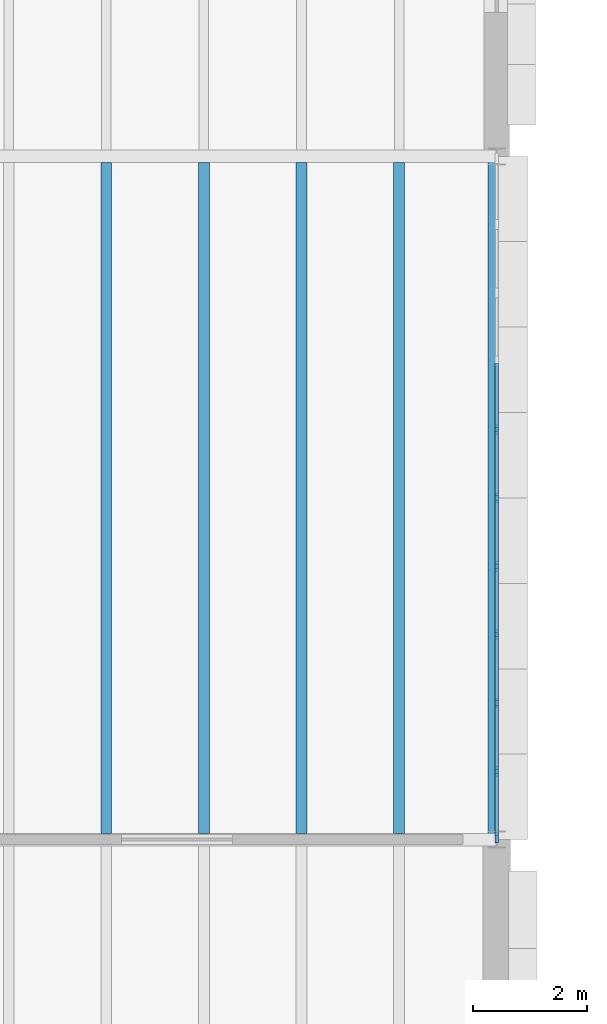
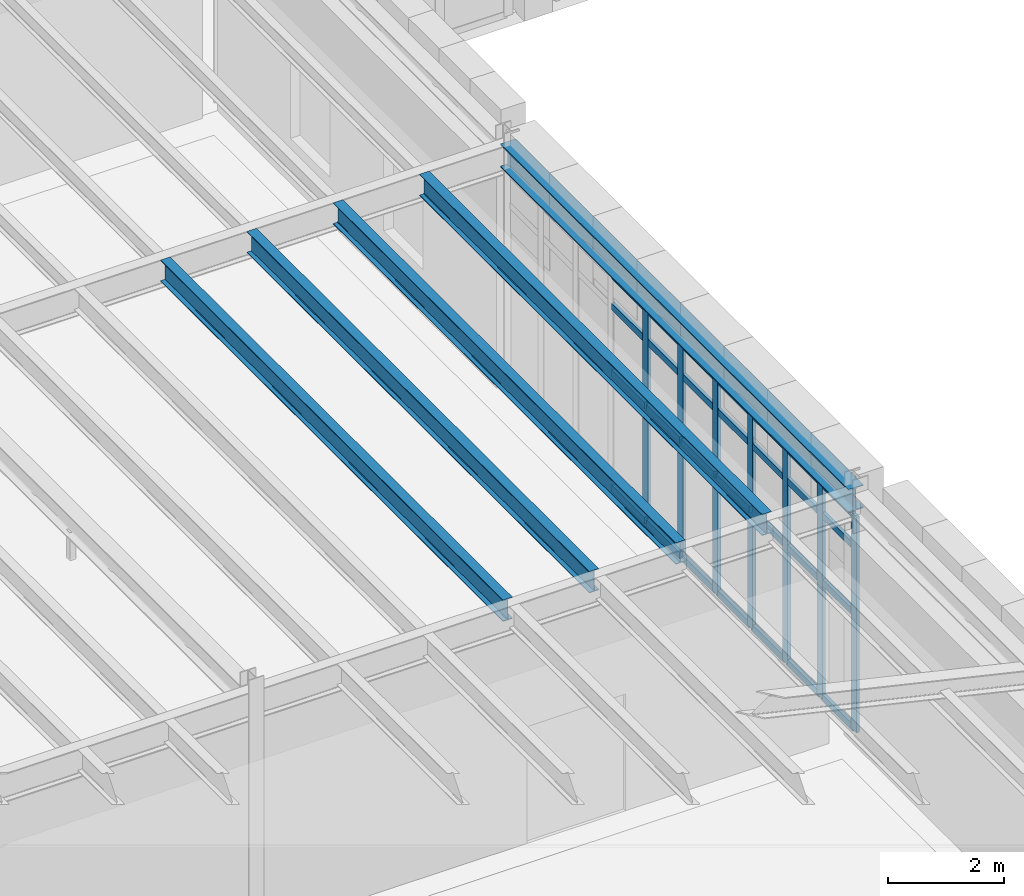
# One storey, part 15 of 100: 35 members, 5 beams, 1 element without a shape of its own.
"""IFC4 building model written with IfcOpenShell, lengths in metres."""

from ifc_helpers import new_model, si_unit, direction, frame, origin, origin_2d, place, context, subcontext, project, spatial, rectangle, i_section, extrude, material, layer, layer_set, material_profile, profile_set, type_object, element, aggregate, save


model = new_model("IFC4")

# Units and contexts
model_context = context("Model", 3, precision=1e-05, world=origin(), true_north=direction((0.0, 1.0)))
body_context = subcontext(model_context, "Body", "Model", "MODEL_VIEW")
ifc_project = project(units=[si_unit("LENGTHUNIT", "METRE"), si_unit("AREAUNIT", "SQUARE_METRE"), si_unit("VOLUMEUNIT", "CUBIC_METRE"), si_unit("PLANEANGLEUNIT", "RADIAN"), si_unit("MASSUNIT", "GRAM", prefix="KILO")], contexts=[model_context])

# Site, building, storey
site_placement = place(None, origin())
site = spatial("IfcSite", under=ifc_project, at=site_placement, CompositionType="ELEMENT")
building_placement = place(site_placement, origin())
building = spatial("IfcBuilding", under=site, at=building_placement, Name="Zlatogorsky Bluff Art Gallery", CompositionType="ELEMENT")
storey_placement = place(building_placement, frame((0.0, 0.0, 5.39990234375)))
storey = spatial("IfcBuildingStorey", under=building, at=storey_placement, Name="L01", CompositionType="ELEMENT", Elevation=5.39990234375)

# Beams
ifc_material_1 = material(Name="Steel S355", Category="steel")
ifc_material_profile_1 = material_profile(ifc_material_1, i_section(OverallWidth=0.300048828125, OverallDepth=0.489990234375, WebThickness=0.011962890625, FlangeThickness=0.02294921875, FilletRadius=0.027099609375, at=origin_2d()), Name="HEA 500")
ifc_profile_set_1 = profile_set([ifc_material_profile_1], Name="Steel S355")
beam_type_1 = type_object("IfcBeamType", Name="Beam BM-07 HEA 500", PredefinedType="BEAM", material=ifc_profile_set_1)
beam_placement = place(storey_placement, frame((24.0, 62.4150390625, 4.864990234375), z_axis=(0.0, 1.0, 0.0), x_axis=(-1.0, 0.0, 0.0)))
element("IfcBeam", 1, at=beam_placement, inside=storey, type_object=beam_type_1, Name="Primary girder BM-07 L01 C/7-8", PredefinedType="BEAM", context=body_context, shape_type="SweptSolid", body=[
    extrude(i_section(OverallWidth=0.300048828125, OverallDepth=0.489990234375, WebThickness=0.011962890625, FlangeThickness=0.02294921875, FilletRadius=0.027099609375, at=origin_2d()), origin(), (0.0, 0.0, 1.0), 11.969970703125),
])
ifc_material_profile_2 = material_profile(ifc_material_1, i_section(OverallWidth=0.18994140625, OverallDepth=0.449951171875, WebThickness=0.009521484375, FlangeThickness=0.0146484375, FilletRadius=0.02099609375, at=origin_2d()), Name="IPE 450")
ifc_profile_set_2 = profile_set([ifc_material_profile_2], Name="Steel S355")
beam_type_2 = type_object("IfcBeamType", Name="Beam JS-06 IPE 450", PredefinedType="JOIST", material=ifc_profile_set_2)
for number, where, z_axis, x_axis, name in (
    (2, (17.142822265625, 62.510009765625, 4.885009765625), (0.0, 1.0, 0.0), (-1.0, 0.0, 0.0), "Composite floor joist JS-06 L01 01.06.3"),
    (3, (18.857177734375, 62.510009765625, 4.885009765625), (0.0, 1.0, 0.0), (-1.0, 0.0, 0.0), "Composite floor joist JS-06 L01 01.06.4"),
    (4, (20.571533203125, 62.510009765625, 4.885009765625), (0.0, 1.0, 0.0), (-1.0, 0.0, 0.0), "Composite floor joist JS-06 L01 01.06.5"),
    (5, (22.28564453125, 62.510009765625, 4.885009765625), (0.0, 1.0, 0.0), (-1.0, 0.0, 0.0), "Composite floor joist JS-06 L01 01.06.6"),
):
    element("IfcBeam", number, at=place(storey_placement, frame(where, z_axis=z_axis, x_axis=x_axis)), inside=storey, type_object=beam_type_2, Name=name, PredefinedType="JOIST", context=body_context, shape_type="SweptSolid", body=[
        extrude(i_section(OverallWidth=0.18994140625, OverallDepth=0.449951171875, WebThickness=0.009521484375, FlangeThickness=0.0146484375, FilletRadius=0.02099609375, at=origin_2d()), origin(), (0.0, 0.0, 1.0), 11.780029296875),
    ])

# Curtain wall, members
ifc_material_2 = material(Name="Anodised Bronze Aluminium and Low-Iron Triple Glazing", Category="aluminium")
ifc_layer = layer(ifc_material_2, 0.179931640625)
ifc_layer_set = layer_set([ifc_layer], Name="Curtain Wall CW-03")
curtain_wall_type = type_object("IfcCurtainWallType", Name="Curtain Wall CW-03", PredefinedType="USERDEFINED", material=ifc_layer_set)
curtain_wall_placement = place(storey_placement, origin())
curtain_wall = element("IfcCurtainWall", 6, at=curtain_wall_placement, inside=storey, type_object=curtain_wall_type, Name="Unitised curtain wall CW-03 L01 E 1.6", ObjectType="CURTAIN WALL", PredefinedType="USERDEFINED")
ifc_material_3 = material(Name="Anodised Bronze Aluminium", Category="aluminium")
ifc_material_profile_3 = material_profile(ifc_material_3, rectangle(XDim=0.06494140625, YDim=0.179931640625, at=origin_2d()), Name="ALU MULLION 65x180")
ifc_profile_set_3 = profile_set([ifc_material_profile_3], Name="Anodised Bronze Aluminium")
member_type_1 = type_object("IfcMemberType", Name="Curtain Mullion ML-01", PredefinedType="MULLION", material=ifc_profile_set_3)
member_1_placement = place(storey_placement, frame((24.0, 62.4326171875, 0.0), z_axis=(0.0, 0.0, 1.0), x_axis=(-1.0, 0.0, 0.0)))
member_1 = element("IfcMember", 7, at=member_1_placement, type_object=member_type_1, Name="CW-03 mullion 1", PredefinedType="MULLION", context=body_context, shape_type="SweptSolid", body=[
    extrude(rectangle(XDim=0.06494140625, YDim=0.179931640625, at=origin_2d()), origin(), (0.0, 0.0, 1.0), 4.530029296875),
])
member_2_placement = place(storey_placement, frame((24.0, 63.60009765625, 0.0), z_axis=(0.0, 0.0, 1.0), x_axis=(-1.0, 0.0, 0.0)))
member_2 = element("IfcMember", 8, at=member_2_placement, type_object=member_type_1, Name="CW-03 mullion 2", PredefinedType="MULLION", context=body_context, shape_type="SweptSolid", body=[
    extrude(rectangle(XDim=0.06494140625, YDim=0.179931640625, at=origin_2d()), origin(), (0.0, 0.0, 1.0), 4.530029296875),
])
member_3_placement = place(storey_placement, frame((24.0, 64.800048828125, 0.0), z_axis=(0.0, 0.0, 1.0), x_axis=(-1.0, 0.0, 0.0)))
member_3 = element("IfcMember", 9, at=member_3_placement, type_object=member_type_1, Name="CW-03 mullion 3", PredefinedType="MULLION", context=body_context, shape_type="SweptSolid", body=[
    extrude(rectangle(XDim=0.06494140625, YDim=0.179931640625, at=origin_2d()), origin(), (0.0, 0.0, 1.0), 4.530029296875),
])
member_4_placement = place(storey_placement, frame((24.0, 66.0, 0.0), z_axis=(0.0, 0.0, 1.0), x_axis=(-1.0, 0.0, 0.0)))
member_4 = element("IfcMember", 10, at=member_4_placement, type_object=member_type_1, Name="CW-03 mullion 4", PredefinedType="MULLION", context=body_context, shape_type="SweptSolid", body=[
    extrude(rectangle(XDim=0.06494140625, YDim=0.179931640625, at=origin_2d()), origin(), (0.0, 0.0, 1.0), 4.530029296875),
])
member_5_placement = place(storey_placement, frame((24.0, 67.199951171875, 0.0), z_axis=(0.0, 0.0, 1.0), x_axis=(-1.0, 0.0, 0.0)))
member_5 = element("IfcMember", 11, at=member_5_placement, type_object=member_type_1, Name="CW-03 mullion 5", PredefinedType="MULLION", context=body_context, shape_type="SweptSolid", body=[
    extrude(rectangle(XDim=0.06494140625, YDim=0.179931640625, at=origin_2d()), origin(), (0.0, 0.0, 1.0), 4.530029296875),
])
member_6_placement = place(storey_placement, frame((24.0, 68.39990234375, 0.0), z_axis=(0.0, 0.0, 1.0), x_axis=(-1.0, 0.0, 0.0)))
member_6 = element("IfcMember", 12, at=member_6_placement, type_object=member_type_1, Name="CW-03 mullion 6", PredefinedType="MULLION", context=body_context, shape_type="SweptSolid", body=[
    extrude(rectangle(XDim=0.06494140625, YDim=0.179931640625, at=origin_2d()), origin(), (0.0, 0.0, 1.0), 4.530029296875),
])
member_7_placement = place(storey_placement, frame((24.0, 69.60009765625, 0.0), z_axis=(0.0, 0.0, 1.0), x_axis=(-1.0, 0.0, 0.0)))
member_7 = element("IfcMember", 13, at=member_7_placement, type_object=member_type_1, Name="CW-03 mullion 7", PredefinedType="MULLION", context=body_context, shape_type="SweptSolid", body=[
    extrude(rectangle(XDim=0.06494140625, YDim=0.179931640625, at=origin_2d()), origin(), (0.0, 0.0, 1.0), 4.530029296875),
])
ifc_material_profile_4 = material_profile(ifc_material_3, rectangle(XDim=0.06494140625, YDim=0.139892578125, at=origin_2d()), Name="ALU TRANSOM 65x140")
ifc_profile_set_4 = profile_set([ifc_material_profile_4], Name="Anodised Bronze Aluminium")
member_type_2 = type_object("IfcMemberType", Name="Curtain Transom TR-01", PredefinedType="USERDEFINED", material=ifc_profile_set_4)
member_8_placement = place(storey_placement, frame((24.0, 62.465087890625, 0.03271484375), z_axis=(0.0, 1.0, 0.0), x_axis=(-1.0, 0.0, 0.0)))
member_8 = element("IfcMember", 14, at=member_8_placement, type_object=member_type_2, Name="CW-03 transom 1.1", ObjectType="TRANSOM", PredefinedType="USERDEFINED", context=body_context, shape_type="SweptSolid", body=[
    extrude(rectangle(XDim=0.06494140625, YDim=0.139892578125, at=origin_2d()), origin(), (0.0, 0.0, 1.0), 1.102294921875),
])
member_9_placement = place(storey_placement, frame((24.0, 62.465087890625, 2.4501953125), z_axis=(0.0, 1.0, 0.0), x_axis=(-1.0, 0.0, 0.0)))
member_9 = element("IfcMember", 15, at=member_9_placement, type_object=member_type_2, Name="CW-03 transom 1.2", ObjectType="TRANSOM", PredefinedType="USERDEFINED", context=body_context, shape_type="SweptSolid", body=[
    extrude(rectangle(XDim=0.06494140625, YDim=0.139892578125, at=origin_2d()), origin(), (0.0, 0.0, 1.0), 1.102294921875),
])
member_10_placement = place(storey_placement, frame((24.0, 62.465087890625, 3.85009765625), z_axis=(0.0, 1.0, 0.0), x_axis=(-1.0, 0.0, 0.0)))
member_10 = element("IfcMember", 16, at=member_10_placement, type_object=member_type_2, Name="CW-03 transom 1.3", ObjectType="TRANSOM", PredefinedType="USERDEFINED", context=body_context, shape_type="SweptSolid", body=[
    extrude(rectangle(XDim=0.06494140625, YDim=0.139892578125, at=origin_2d()), origin(), (0.0, 0.0, 1.0), 1.102294921875),
])
member_11_placement = place(storey_placement, frame((24.0, 62.465087890625, 4.49755859375), z_axis=(0.0, 1.0, 0.0), x_axis=(-1.0, 0.0, 0.0)))
member_11 = element("IfcMember", 17, at=member_11_placement, type_object=member_type_2, Name="CW-03 transom 1.4", ObjectType="TRANSOM", PredefinedType="USERDEFINED", context=body_context, shape_type="SweptSolid", body=[
    extrude(rectangle(XDim=0.06494140625, YDim=0.139892578125, at=origin_2d()), origin(), (0.0, 0.0, 1.0), 1.102294921875),
])
member_12_placement = place(storey_placement, frame((24.0, 63.632568359375, 0.03271484375), z_axis=(0.0, 1.0, 0.0), x_axis=(-1.0, 0.0, 0.0)))
member_12 = element("IfcMember", 18, at=member_12_placement, type_object=member_type_2, Name="CW-03 transom 2.1", ObjectType="TRANSOM", PredefinedType="USERDEFINED", context=body_context, shape_type="SweptSolid", body=[
    extrude(rectangle(XDim=0.06494140625, YDim=0.139892578125, at=origin_2d()), origin(), (0.0, 0.0, 1.0), 1.135009765625),
])
member_13_placement = place(storey_placement, frame((24.0, 63.632568359375, 2.4501953125), z_axis=(0.0, 1.0, 0.0), x_axis=(-1.0, 0.0, 0.0)))
member_13 = element("IfcMember", 19, at=member_13_placement, type_object=member_type_2, Name="CW-03 transom 2.2", ObjectType="TRANSOM", PredefinedType="USERDEFINED", context=body_context, shape_type="SweptSolid", body=[
    extrude(rectangle(XDim=0.06494140625, YDim=0.139892578125, at=origin_2d()), origin(), (0.0, 0.0, 1.0), 1.135009765625),
])
member_14_placement = place(storey_placement, frame((24.0, 63.632568359375, 3.85009765625), z_axis=(0.0, 1.0, 0.0), x_axis=(-1.0, 0.0, 0.0)))
member_14 = element("IfcMember", 20, at=member_14_placement, type_object=member_type_2, Name="CW-03 transom 2.3", ObjectType="TRANSOM", PredefinedType="USERDEFINED", context=body_context, shape_type="SweptSolid", body=[
    extrude(rectangle(XDim=0.06494140625, YDim=0.139892578125, at=origin_2d()), origin(), (0.0, 0.0, 1.0), 1.135009765625),
])
member_15_placement = place(storey_placement, frame((24.0, 63.632568359375, 4.49755859375), z_axis=(0.0, 1.0, 0.0), x_axis=(-1.0, 0.0, 0.0)))
member_15 = element("IfcMember", 21, at=member_15_placement, type_object=member_type_2, Name="CW-03 transom 2.4", ObjectType="TRANSOM", PredefinedType="USERDEFINED", context=body_context, shape_type="SweptSolid", body=[
    extrude(rectangle(XDim=0.06494140625, YDim=0.139892578125, at=origin_2d()), origin(), (0.0, 0.0, 1.0), 1.135009765625),
])
member_16_placement = place(storey_placement, frame((24.0, 64.83251953125, 0.03271484375), z_axis=(0.0, 1.0, 0.0), x_axis=(-1.0, 0.0, 0.0)))
member_16 = element("IfcMember", 22, at=member_16_placement, type_object=member_type_2, Name="CW-03 transom 3.1", ObjectType="TRANSOM", PredefinedType="USERDEFINED", context=body_context, shape_type="SweptSolid", body=[
    extrude(rectangle(XDim=0.06494140625, YDim=0.139892578125, at=origin_2d()), origin(), (0.0, 0.0, 1.0), 1.135009765625),
])
member_17_placement = place(storey_placement, frame((24.0, 64.83251953125, 2.4501953125), z_axis=(0.0, 1.0, 0.0), x_axis=(-1.0, 0.0, 0.0)))
member_17 = element("IfcMember", 23, at=member_17_placement, type_object=member_type_2, Name="CW-03 transom 3.2", ObjectType="TRANSOM", PredefinedType="USERDEFINED", context=body_context, shape_type="SweptSolid", body=[
    extrude(rectangle(XDim=0.06494140625, YDim=0.139892578125, at=origin_2d()), origin(), (0.0, 0.0, 1.0), 1.135009765625),
])
member_18_placement = place(storey_placement, frame((24.0, 64.83251953125, 3.85009765625), z_axis=(0.0, 1.0, 0.0), x_axis=(-1.0, 0.0, 0.0)))
member_18 = element("IfcMember", 24, at=member_18_placement, type_object=member_type_2, Name="CW-03 transom 3.3", ObjectType="TRANSOM", PredefinedType="USERDEFINED", context=body_context, shape_type="SweptSolid", body=[
    extrude(rectangle(XDim=0.06494140625, YDim=0.139892578125, at=origin_2d()), origin(), (0.0, 0.0, 1.0), 1.135009765625),
])
member_19_placement = place(storey_placement, frame((24.0, 64.83251953125, 4.49755859375), z_axis=(0.0, 1.0, 0.0), x_axis=(-1.0, 0.0, 0.0)))
member_19 = element("IfcMember", 25, at=member_19_placement, type_object=member_type_2, Name="CW-03 transom 3.4", ObjectType="TRANSOM", PredefinedType="USERDEFINED", context=body_context, shape_type="SweptSolid", body=[
    extrude(rectangle(XDim=0.06494140625, YDim=0.139892578125, at=origin_2d()), origin(), (0.0, 0.0, 1.0), 1.135009765625),
])
member_20_placement = place(storey_placement, frame((24.0, 66.032470703125, 0.03271484375), z_axis=(0.0, 1.0, 0.0), x_axis=(-1.0, 0.0, 0.0)))
member_20 = element("IfcMember", 26, at=member_20_placement, type_object=member_type_2, Name="CW-03 transom 4.1", ObjectType="TRANSOM", PredefinedType="USERDEFINED", context=body_context, shape_type="SweptSolid", body=[
    extrude(rectangle(XDim=0.06494140625, YDim=0.139892578125, at=origin_2d()), origin(), (0.0, 0.0, 1.0), 1.135009765625),
])
member_21_placement = place(storey_placement, frame((24.0, 66.032470703125, 2.4501953125), z_axis=(0.0, 1.0, 0.0), x_axis=(-1.0, 0.0, 0.0)))
member_21 = element("IfcMember", 27, at=member_21_placement, type_object=member_type_2, Name="CW-03 transom 4.2", ObjectType="TRANSOM", PredefinedType="USERDEFINED", context=body_context, shape_type="SweptSolid", body=[
    extrude(rectangle(XDim=0.06494140625, YDim=0.139892578125, at=origin_2d()), origin(), (0.0, 0.0, 1.0), 1.135009765625),
])
member_22_placement = place(storey_placement, frame((24.0, 66.032470703125, 3.85009765625), z_axis=(0.0, 1.0, 0.0), x_axis=(-1.0, 0.0, 0.0)))
member_22 = element("IfcMember", 28, at=member_22_placement, type_object=member_type_2, Name="CW-03 transom 4.3", ObjectType="TRANSOM", PredefinedType="USERDEFINED", context=body_context, shape_type="SweptSolid", body=[
    extrude(rectangle(XDim=0.06494140625, YDim=0.139892578125, at=origin_2d()), origin(), (0.0, 0.0, 1.0), 1.135009765625),
])
member_23_placement = place(storey_placement, frame((24.0, 66.032470703125, 4.49755859375), z_axis=(0.0, 1.0, 0.0), x_axis=(-1.0, 0.0, 0.0)))
member_23 = element("IfcMember", 29, at=member_23_placement, type_object=member_type_2, Name="CW-03 transom 4.4", ObjectType="TRANSOM", PredefinedType="USERDEFINED", context=body_context, shape_type="SweptSolid", body=[
    extrude(rectangle(XDim=0.06494140625, YDim=0.139892578125, at=origin_2d()), origin(), (0.0, 0.0, 1.0), 1.135009765625),
])
member_24_placement = place(storey_placement, frame((24.0, 67.232421875, 0.03271484375), z_axis=(0.0, 1.0, 0.0), x_axis=(-1.0, 0.0, 0.0)))
member_24 = element("IfcMember", 30, at=member_24_placement, type_object=member_type_2, Name="CW-03 transom 5.1", ObjectType="TRANSOM", PredefinedType="USERDEFINED", context=body_context, shape_type="SweptSolid", body=[
    extrude(rectangle(XDim=0.06494140625, YDim=0.139892578125, at=origin_2d()), origin(), (0.0, 0.0, 1.0), 1.135009765625),
])
member_25_placement = place(storey_placement, frame((24.0, 67.232421875, 2.4501953125), z_axis=(0.0, 1.0, 0.0), x_axis=(-1.0, 0.0, 0.0)))
member_25 = element("IfcMember", 31, at=member_25_placement, type_object=member_type_2, Name="CW-03 transom 5.2", ObjectType="TRANSOM", PredefinedType="USERDEFINED", context=body_context, shape_type="SweptSolid", body=[
    extrude(rectangle(XDim=0.06494140625, YDim=0.139892578125, at=origin_2d()), origin(), (0.0, 0.0, 1.0), 1.135009765625),
])
member_26_placement = place(storey_placement, frame((24.0, 67.232421875, 3.85009765625), z_axis=(0.0, 1.0, 0.0), x_axis=(-1.0, 0.0, 0.0)))
member_26 = element("IfcMember", 32, at=member_26_placement, type_object=member_type_2, Name="CW-03 transom 5.3", ObjectType="TRANSOM", PredefinedType="USERDEFINED", context=body_context, shape_type="SweptSolid", body=[
    extrude(rectangle(XDim=0.06494140625, YDim=0.139892578125, at=origin_2d()), origin(), (0.0, 0.0, 1.0), 1.135009765625),
])
member_27_placement = place(storey_placement, frame((24.0, 67.232421875, 4.49755859375), z_axis=(0.0, 1.0, 0.0), x_axis=(-1.0, 0.0, 0.0)))
member_27 = element("IfcMember", 33, at=member_27_placement, type_object=member_type_2, Name="CW-03 transom 5.4", ObjectType="TRANSOM", PredefinedType="USERDEFINED", context=body_context, shape_type="SweptSolid", body=[
    extrude(rectangle(XDim=0.06494140625, YDim=0.139892578125, at=origin_2d()), origin(), (0.0, 0.0, 1.0), 1.135009765625),
])
member_28_placement = place(storey_placement, frame((24.0, 68.4326171875, 0.03271484375), z_axis=(0.0, 1.0, 0.0), x_axis=(-1.0, 0.0, 0.0)))
member_28 = element("IfcMember", 34, at=member_28_placement, type_object=member_type_2, Name="CW-03 transom 6.1", ObjectType="TRANSOM", PredefinedType="USERDEFINED", context=body_context, shape_type="SweptSolid", body=[
    extrude(rectangle(XDim=0.06494140625, YDim=0.139892578125, at=origin_2d()), origin(), (0.0, 0.0, 1.0), 1.134765625),
])
member_29_placement = place(storey_placement, frame((24.0, 68.4326171875, 2.4501953125), z_axis=(0.0, 1.0, 0.0), x_axis=(-1.0, 0.0, 0.0)))
member_29 = element("IfcMember", 35, at=member_29_placement, type_object=member_type_2, Name="CW-03 transom 6.2", ObjectType="TRANSOM", PredefinedType="USERDEFINED", context=body_context, shape_type="SweptSolid", body=[
    extrude(rectangle(XDim=0.06494140625, YDim=0.139892578125, at=origin_2d()), origin(), (0.0, 0.0, 1.0), 1.134765625),
])
member_30_placement = place(storey_placement, frame((24.0, 68.4326171875, 3.85009765625), z_axis=(0.0, 1.0, 0.0), x_axis=(-1.0, 0.0, 0.0)))
member_30 = element("IfcMember", 36, at=member_30_placement, type_object=member_type_2, Name="CW-03 transom 6.3", ObjectType="TRANSOM", PredefinedType="USERDEFINED", context=body_context, shape_type="SweptSolid", body=[
    extrude(rectangle(XDim=0.06494140625, YDim=0.139892578125, at=origin_2d()), origin(), (0.0, 0.0, 1.0), 1.134765625),
])
member_31_placement = place(storey_placement, frame((24.0, 68.4326171875, 4.49755859375), z_axis=(0.0, 1.0, 0.0), x_axis=(-1.0, 0.0, 0.0)))
member_31 = element("IfcMember", 37, at=member_31_placement, type_object=member_type_2, Name="CW-03 transom 6.4", ObjectType="TRANSOM", PredefinedType="USERDEFINED", context=body_context, shape_type="SweptSolid", body=[
    extrude(rectangle(XDim=0.06494140625, YDim=0.139892578125, at=origin_2d()), origin(), (0.0, 0.0, 1.0), 1.134765625),
])
member_32_placement = place(storey_placement, frame((24.0, 69.632568359375, 0.03271484375), z_axis=(0.0, 1.0, 0.0), x_axis=(-1.0, 0.0, 0.0)))
member_32 = element("IfcMember", 38, at=member_32_placement, type_object=member_type_2, Name="CW-03 transom 7.1", ObjectType="TRANSOM", PredefinedType="USERDEFINED", context=body_context, shape_type="SweptSolid", body=[
    extrude(rectangle(XDim=0.06494140625, YDim=0.139892578125, at=origin_2d()), origin(), (0.0, 0.0, 1.0), 1.135009765625),
])
member_33_placement = place(storey_placement, frame((24.0, 69.632568359375, 2.4501953125), z_axis=(0.0, 1.0, 0.0), x_axis=(-1.0, 0.0, 0.0)))
member_33 = element("IfcMember", 39, at=member_33_placement, type_object=member_type_2, Name="CW-03 transom 7.2", ObjectType="TRANSOM", PredefinedType="USERDEFINED", context=body_context, shape_type="SweptSolid", body=[
    extrude(rectangle(XDim=0.06494140625, YDim=0.139892578125, at=origin_2d()), origin(), (0.0, 0.0, 1.0), 1.135009765625),
])
member_34_placement = place(storey_placement, frame((24.0, 69.632568359375, 3.85009765625), z_axis=(0.0, 1.0, 0.0), x_axis=(-1.0, 0.0, 0.0)))
member_34 = element("IfcMember", 40, at=member_34_placement, type_object=member_type_2, Name="CW-03 transom 7.3", ObjectType="TRANSOM", PredefinedType="USERDEFINED", context=body_context, shape_type="SweptSolid", body=[
    extrude(rectangle(XDim=0.06494140625, YDim=0.139892578125, at=origin_2d()), origin(), (0.0, 0.0, 1.0), 1.135009765625),
])
member_35_placement = place(storey_placement, frame((24.0, 69.632568359375, 4.49755859375), z_axis=(0.0, 1.0, 0.0), x_axis=(-1.0, 0.0, 0.0)))
member_35 = element("IfcMember", 41, at=member_35_placement, type_object=member_type_2, Name="CW-03 transom 7.4", ObjectType="TRANSOM", PredefinedType="USERDEFINED", context=body_context, shape_type="SweptSolid", body=[
    extrude(rectangle(XDim=0.06494140625, YDim=0.139892578125, at=origin_2d()), origin(), (0.0, 0.0, 1.0), 1.135009765625),
])
aggregate(curtain_wall, [member_1, member_2, member_3, member_4, member_5, member_6, member_7, member_8, member_9, member_10, member_11, member_12, member_13, member_14, member_15, member_16, member_17, member_18, member_19, member_20, member_21, member_22, member_23, member_24, member_25, member_26, member_27, member_28, member_29, member_30, member_31, member_32, member_33, member_34, member_35])

save(model, "model.ifc")
